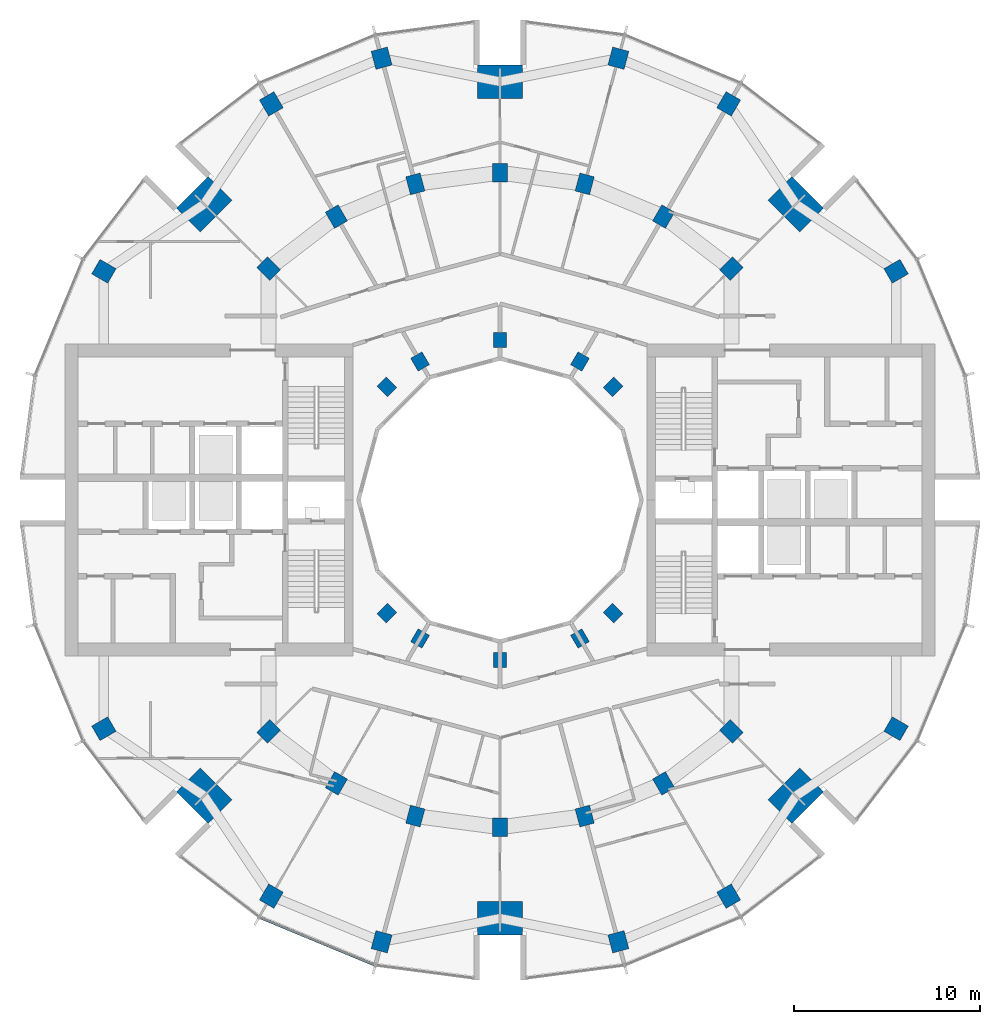
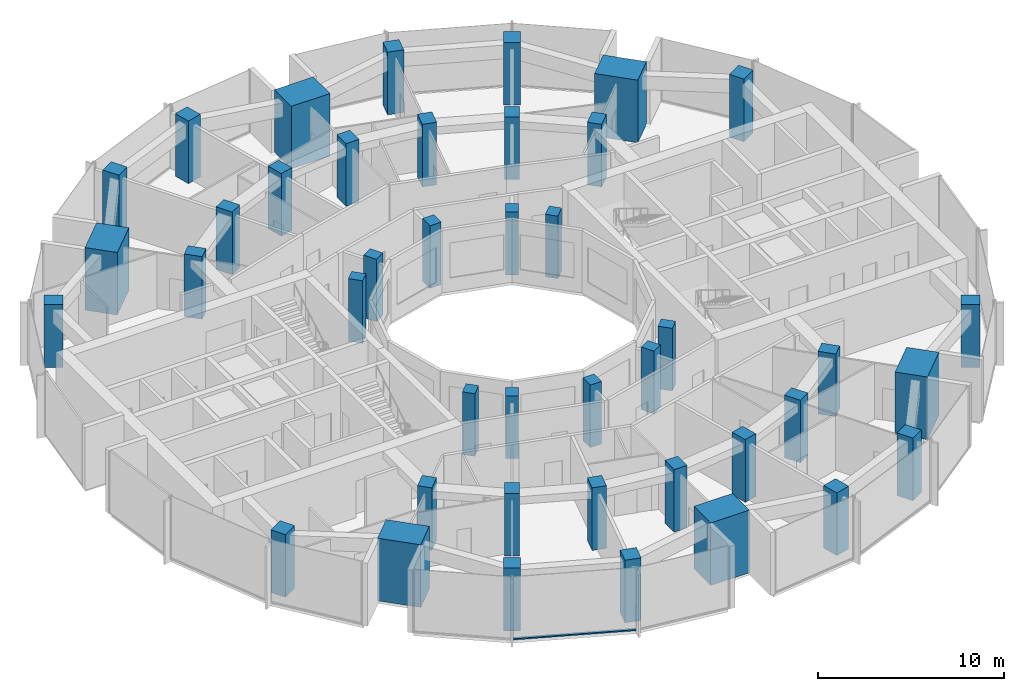
# One storey, part 1 of 15: 42 columns, 1 member, 1 element without a shape of its own.
"""IFC4 building model written with IfcOpenShell, lengths in metres."""

from ifc_helpers import new_model, si_unit, direction, frame, origin, origin_2d, place, context, subcontext, project, spatial, rectangle, extrude, material, layer, layer_set, material_profile, profile_set, type_object, element, aggregate, save


model = new_model("IFC4")

# Units and contexts
model_context = context("Model", 3, precision=1e-05, world=origin(), true_north=direction((0.0, 1.0)))
body_context = subcontext(model_context, "Body", "Model", "MODEL_VIEW")
ifc_project = project(units=[si_unit("LENGTHUNIT", "METRE"), si_unit("AREAUNIT", "SQUARE_METRE"), si_unit("VOLUMEUNIT", "CUBIC_METRE"), si_unit("PLANEANGLEUNIT", "RADIAN"), si_unit("MASSUNIT", "GRAM", prefix="KILO")], contexts=[model_context])

# Site, building, storey
site_placement = place(None, origin())
site = spatial("IfcSite", under=ifc_project, at=site_placement, CompositionType="ELEMENT")
building_placement = place(site_placement, origin())
building = spatial("IfcBuilding", under=site, at=building_placement, Name="Torre Brocal", CompositionType="ELEMENT")
storey_placement = place(building_placement, frame((0.0, 0.0, 190.5)))
storey = spatial("IfcBuildingStorey", under=building, at=storey_placement, Name="L44", CompositionType="ELEMENT", Elevation=190.5)

# Columns
ifc_material_1 = material(Name="Concrete C70", Category="concrete")
ifc_material_profile_1 = material_profile(ifc_material_1, rectangle(XDim=1.0, YDim=0.800048828125, at=origin_2d()), Name="RC 1000X800")
ifc_profile_set_1 = profile_set([ifc_material_profile_1], Name="Concrete C70")
column_type_1 = type_object("IfcColumnType", Name="RC COLUMN 1000X800 C70", PredefinedType="COLUMN", material=ifc_profile_set_1)
for number, where, z_axis, x_axis, name in (
    (1, (92.445068359375, 87.445068359375, 0.0), (0.0, 0.0, 1.0), (0.707106781187, 0.707106781187, 0.0), "Column C-M03"),
    (2, (88.800048828125, 90.241943359375, 0.0), (0.0, 0.0, 1.0), (0.5, 0.866025403784, 0.0), "Column C-M04"),
    (3, (84.55517578125, 92.000244140625, 0.0), (0.0, 0.0, 1.0), (0.258819045103, 0.965925826289, 0.0), "Column C-M05"),
    (4, (80.0, 92.60009765625, 0.0), (0.0, 0.0, 1.0), (0.0, 1.0, 0.0), "Column C-M06"),
    (5, (75.44482421875, 92.000244140625, 0.0), (0.0, 0.0, 1.0), (-0.258819045103, 0.965925826289, 0.0), "Column C-M07"),
    (6, (71.199951171875, 90.241943359375, 0.0), (0.0, 0.0, 1.0), (-0.5, 0.866025403784, 0.0), "Column C-M08"),
    (7, (67.554931640625, 87.445068359375, 0.0), (0.0, 0.0, 1.0), (-0.707106781187, 0.707106781187, 0.0), "Column C-M09"),
    (8, (67.554931640625, 62.554931640625, 0.0), (0.0, 0.0, 1.0), (-0.707106781187, -0.707106781187, 0.0), "Column C-M15"),
    (9, (71.199951171875, 59.758056640625, 0.0), (0.0, 0.0, 1.0), (-0.5, -0.866025403784, 0.0), "Column C-M16"),
    (10, (75.44482421875, 57.999755859375, 0.0), (0.0, 0.0, 1.0), (-0.258819045103, -0.965925826289, 0.0), "Column C-M17"),
    (11, (80.0, 57.39990234375, 0.0), (0.0, 0.0, 1.0), (0.0, -1.0, 0.0), "Column C-M18"),
    (12, (84.55517578125, 57.999755859375, 0.0), (0.0, 0.0, 1.0), (0.258819045103, -0.965925826289, 0.0), "Column C-M19"),
    (13, (88.800048828125, 59.758056640625, 0.0), (0.0, 0.0, 1.0), (0.5, -0.866025403784, 0.0), "Column C-M20"),
    (14, (92.445068359375, 62.554931640625, 0.0), (0.0, 0.0, 1.0), (0.707106781187, -0.707106781187, 0.0), "Column C-M21"),
):
    element("IfcColumn", number, at=place(storey_placement, frame(where, z_axis=z_axis, x_axis=x_axis)), inside=storey, type_object=column_type_1, Name=name, PredefinedType="COLUMN", context=body_context, shape_type="SweptSolid", body=[
        extrude(rectangle(XDim=1.0, YDim=0.800048828125, at=origin_2d()), origin(), (0.0, 0.0, 1.0), 4.10009765625),
    ])
ifc_material_2 = material(Name="Concrete C70", Category="concrete")
ifc_material_profile_2 = material_profile(ifc_material_2, rectangle(XDim=1.0, YDim=0.89990234375, at=origin_2d()), Name="RC 1000X900")
ifc_profile_set_2 = profile_set([ifc_material_profile_2], Name="Concrete C70")
column_type_2 = type_object("IfcColumnType", Name="RC COLUMN 1000X900 C70", PredefinedType="COLUMN", material=ifc_profile_set_2)
for number, where, z_axis, x_axis, name in (
    (15, (101.30419921875, 87.300048828125, 0.0), (0.0, 0.0, 1.0), (0.866025403784, 0.5, 0.0), "Column C-O02"),
    (16, (92.300048828125, 96.30419921875, 0.0), (0.0, 0.0, 1.0), (0.5, 0.866025403784, 0.0), "Column C-O04"),
    (17, (86.366943359375, 98.76171875, 0.0), (0.0, 0.0, 1.0), (0.258819045103, 0.965925826289, 0.0), "Column C-O05"),
    (18, (73.633056640625, 98.76171875, 0.0), (0.0, 0.0, 1.0), (-0.258819045103, 0.965925826289, 0.0), "Column C-O07"),
    (19, (67.699951171875, 96.30419921875, 0.0), (0.0, 0.0, 1.0), (-0.5, 0.866025403784, 0.0), "Column C-O08"),
    (20, (58.69580078125, 87.300048828125, 0.0), (0.0, 0.0, 1.0), (-0.866025403784, 0.5, 0.0), "Column C-O10"),
    (21, (58.69580078125, 62.699951171875, 0.0), (0.0, 0.0, 1.0), (-0.866025403784, -0.5, 0.0), "Column C-O14"),
    (22, (67.699951171875, 53.69580078125, 0.0), (0.0, 0.0, 1.0), (-0.5, -0.866025403784, 0.0), "Column C-O16"),
    (23, (73.633056640625, 51.23828125, 0.0), (0.0, 0.0, 1.0), (-0.258819045103, -0.965925826289, 0.0), "Column C-O17"),
    (24, (86.366943359375, 51.23828125, 0.0), (0.0, 0.0, 1.0), (0.258819045103, -0.965925826289, 0.0), "Column C-O19"),
    (25, (92.300048828125, 53.69580078125, 0.0), (0.0, 0.0, 1.0), (0.5, -0.866025403784, 0.0), "Column C-O20"),
    (26, (101.30419921875, 62.699951171875, 0.0), (0.0, 0.0, 1.0), (0.866025403784, -0.5, 0.0), "Column C-O22"),
):
    element("IfcColumn", number, at=place(storey_placement, frame(where, z_axis=z_axis, x_axis=x_axis)), inside=storey, type_object=column_type_2, Name=name, PredefinedType="COLUMN", context=body_context, shape_type="SweptSolid", body=[
        extrude(rectangle(XDim=1.0, YDim=0.89990234375, at=origin_2d()), origin(), (0.0, 0.0, 1.0), 4.10009765625),
    ])
ifc_material_3 = material(Name="Concrete C70", Category="concrete")
ifc_material_profile_3 = material_profile(ifc_material_3, rectangle(XDim=1.800048828125, YDim=2.39990234375, at=origin_2d()), Name="RC 1800X2400")
ifc_profile_set_3 = profile_set([ifc_material_profile_3], Name="Concrete C70")
column_type_3 = type_object("IfcColumnType", Name="RC COLUMN 1800X2400 C70", PredefinedType="COLUMN", material=ifc_profile_set_3)
for number, where, z_axis, x_axis, name in (
    (27, (95.909912109375, 90.909912109375, 0.0), (0.0, 0.0, 1.0), (0.707106781187, 0.707106781187, 0.0), "Column MC-1"),
    (28, (80.0, 97.5, 0.0), (0.0, 0.0, 1.0), (0.0, 1.0, 0.0), "Column MC-2"),
    (29, (64.090087890625, 90.909912109375, 0.0), (0.0, 0.0, 1.0), (-0.707106781187, 0.707106781187, 0.0), "Column MC-3"),
    (30, (64.090087890625, 59.090087890625, 0.0), (0.0, 0.0, 1.0), (-0.707106781187, -0.707106781187, 0.0), "Column MC-5"),
    (31, (80.0, 52.5, 0.0), (0.0, 0.0, 1.0), (0.0, -1.0, 0.0), "Column MC-6"),
    (32, (95.909912109375, 59.090087890625, 0.0), (0.0, 0.0, 1.0), (0.707106781187, -0.707106781187, 0.0), "Column MC-7"),
):
    element("IfcColumn", number, at=place(storey_placement, frame(where, z_axis=z_axis, x_axis=x_axis)), inside=storey, type_object=column_type_3, Name=name, PredefinedType="COLUMN", context=body_context, shape_type="SweptSolid", body=[
        extrude(rectangle(XDim=1.800048828125, YDim=2.39990234375, at=origin_2d()), origin(), (0.0, 0.0, 1.0), 4.10009765625),
    ])
ifc_material_4 = material(Name="Concrete C70", Category="concrete")
ifc_material_profile_4 = material_profile(ifc_material_4, rectangle(XDim=0.800048828125, YDim=0.699951171875, at=origin_2d()), Name="RC 800X700")
ifc_profile_set_4 = profile_set([ifc_material_profile_4], Name="Concrete C70")
column_type_4 = type_object("IfcColumnType", Name="RC COLUMN 800X700 C70", PredefinedType="COLUMN", material=ifc_profile_set_4)
for number, where, z_axis, x_axis, name in (
    (33, (86.0810546875, 81.0810546875, 0.0), (0.0, 0.0, 1.0), (0.707106781187, 0.707106781187, 0.0), "Column C-I03"),
    (34, (84.300048828125, 82.44775390625, 0.0), (0.0, 0.0, 1.0), (0.5, 0.866025403784, 0.0), "Column C-I04"),
    (35, (80.0, 83.60009765625, 0.0), (0.0, 0.0, 1.0), (0.0, 1.0, 0.0), "Column C-I06"),
    (36, (75.699951171875, 82.44775390625, 0.0), (0.0, 0.0, 1.0), (-0.5, 0.866025403784, 0.0), "Column C-I08"),
    (37, (73.9189453125, 81.0810546875, 0.0), (0.0, 0.0, 1.0), (-0.707106781187, 0.707106781187, 0.0), "Column C-I09"),
    (38, (73.9189453125, 68.9189453125, 0.0), (0.0, 0.0, 1.0), (-0.707106781187, -0.707106781187, 0.0), "Column C-I15"),
    (39, (75.699951171875, 67.55224609375, 0.0), (0.0, 0.0, 1.0), (-0.5, -0.866025403784, 0.0), "Column C-I16"),
    (40, (80.0, 66.39990234375, 0.0), (0.0, 0.0, 1.0), (0.0, -1.0, 0.0), "Column C-I18"),
    (41, (84.300048828125, 67.55224609375, 0.0), (0.0, 0.0, 1.0), (0.5, -0.866025403784, 0.0), "Column C-I20"),
    (42, (86.0810546875, 68.9189453125, 0.0), (0.0, 0.0, 1.0), (0.707106781187, -0.707106781187, 0.0), "Column C-I21"),
):
    element("IfcColumn", number, at=place(storey_placement, frame(where, z_axis=z_axis, x_axis=x_axis)), inside=storey, type_object=column_type_4, Name=name, PredefinedType="COLUMN", context=body_context, shape_type="SweptSolid", body=[
        extrude(rectangle(XDim=0.800048828125, YDim=0.699951171875, at=origin_2d()), origin(), (0.0, 0.0, 1.0), 4.10009765625),
    ])

# Curtain wall, member
ifc_material_5 = material(Name="Aluminium and glass", Category="aluminium")
ifc_layer = layer(ifc_material_5, 0.199951171875)
ifc_layer_set = layer_set([ifc_layer], Name="Aluminium and glass")
curtain_wall_type = type_object("IfcCurtainWallType", Name="CW-1 CURTAIN WALL 4100 HIGH", PredefinedType="NOTDEFINED", material=ifc_layer_set)
curtain_wall_placement = place(storey_placement, origin())
curtain_wall = element("IfcCurtainWall", 43, at=curtain_wall_placement, inside=storey, type_object=curtain_wall_type, Name="CW-1 RUN 17", PredefinedType="NOTDEFINED")
ifc_material_6 = material(Name="Aluminium, dark anodised", Category="aluminium")
ifc_material_profile_5 = material_profile(ifc_material_6, rectangle(XDim=0.159912109375, YDim=0.080078125, at=origin_2d()), Name="CW-1 TRANSOM 160X80")
ifc_profile_set_5 = profile_set([ifc_material_profile_5], Name="Aluminium, dark anodised")
member_type = type_object("IfcMemberType", Name="CW-1 TRANSOM 160X80", PredefinedType="USERDEFINED", material=ifc_profile_set_5)
member_placement = place(storey_placement, frame((67.10595703125, 52.547607421875, 0.0400390625), z_axis=(0.923887344364, -0.38266457234, 0.0), x_axis=(0.38266457234, 0.923887344364, 0.0)))
member = element("IfcMember", 44, at=member_placement, type_object=member_type, Name="CW1-4 transom 1.1", ObjectType="TRANSOM", PredefinedType="USERDEFINED", context=body_context, shape_type="SweptSolid", body=[
    extrude(rectangle(XDim=0.159912109375, YDim=0.080078125, at=origin_2d()), origin(), (0.0, 0.0, 1.0), 6.640869140625),
])
aggregate(curtain_wall, [member])

save(model, "model.ifc")
